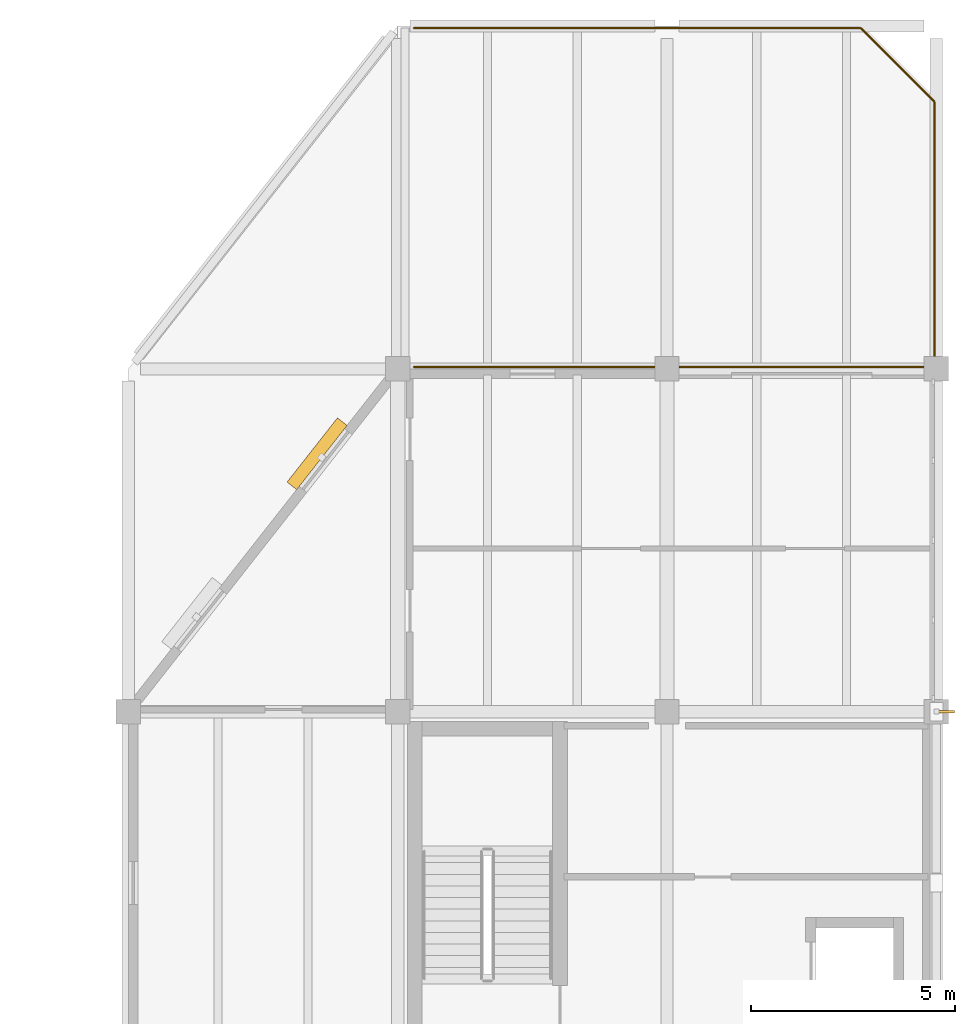
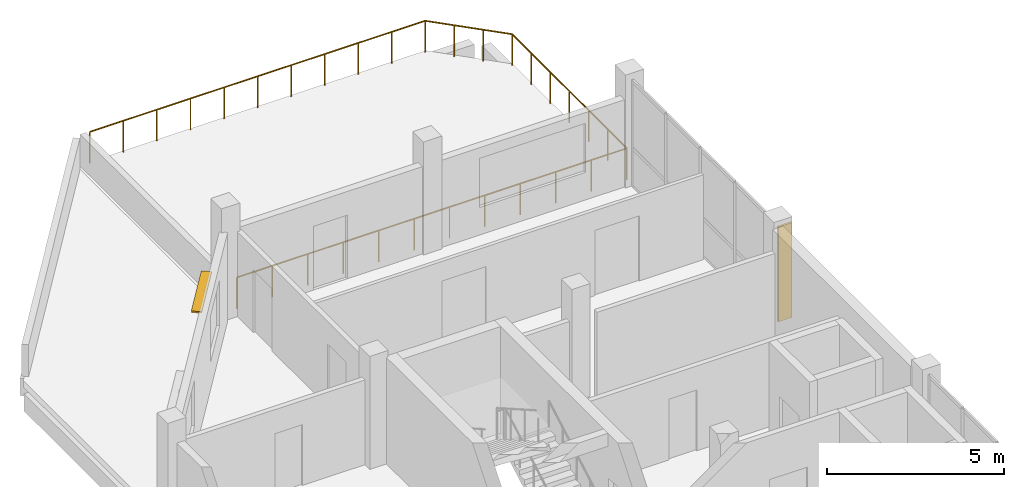
# One storey, part 10 of 10: 2 shading devices, 1 railing.
"""IFC4 building model written with IfcOpenShell, lengths in metres."""

from ifc_helpers import new_model, si_unit, direction, frame, origin, origin_2d, place, context, subcontext, project, spatial, rectangle, circle, extrude, material, layer, layer_set, type_object, element, save


model = new_model("IFC4")

# Units and contexts
model_context = context("Model", 3, precision=1e-05, world=origin(), true_north=direction((0.0, 1.0)))
body_context = subcontext(model_context, "Body", "Model", "MODEL_VIEW")
ifc_project = project(units=[si_unit("LENGTHUNIT", "METRE"), si_unit("AREAUNIT", "SQUARE_METRE"), si_unit("VOLUMEUNIT", "CUBIC_METRE"), si_unit("PLANEANGLEUNIT", "RADIAN"), si_unit("MASSUNIT", "GRAM", prefix="KILO")], contexts=[model_context])

# Site, building, storey
site_placement = place(None, origin())
site = spatial("IfcSite", under=ifc_project, at=site_placement, CompositionType="ELEMENT")
building_placement = place(site_placement, origin())
building = spatial("IfcBuilding", under=site, at=building_placement, Name="Qaldarim Faculty of Natural and Applied Sciences", CompositionType="ELEMENT")
storey_placement = place(building_placement, frame((0.0, 0.0, 39.300048828125)))
storey = spatial("IfcBuildingStorey", under=building, at=storey_placement, Name="L09", CompositionType="ELEMENT", Elevation=39.300048828125)

# Railing
ifc_material_1 = material(Name="Architectural stainless steel 316", Category="steel")
railing_type = type_object("IfcRailingType", Name="ExteriorGuardBalustrade-1100", PredefinedType="BALUSTRADE", material=ifc_material_1)
railing_placement = place(storey_placement, frame((165.39990234375, 42.050048828125, 0.0)))
element("IfcRailing", 1, at=railing_placement, inside=storey, type_object=railing_type, Name="Safety guard balustrade GRD-TER-L09-V5", PredefinedType="BALUSTRADE", context=body_context, shape_type="SweptSolid", body=[
    extrude(circle(Radius=0.02392578125, at=origin_2d()), frame((0.00390625, 0.0, 1.076171875), z_axis=(1.0, 0.0, 0.0), x_axis=(0.0, 1.0, 0.0)), (0.0, 0.0, 1.0), 12.741943359375),
    extrude(circle(Radius=0.02392578125, at=origin_2d()), frame((12.75, 0.00390625, 1.076171875), z_axis=(0.0, 1.0, 0.0), x_axis=(-1.0, 0.0, 0.0)), (0.0, 0.0, 1.0), 6.491943359375),
    extrude(circle(Radius=0.02392578125, at=origin_2d()), frame((12.7470703125, 6.5029296875, 1.076171875), z_axis=(-0.707058823862, 0.707154735259, 0.0), x_axis=(-0.707154735259, -0.707058823862, 0.0)), (0.0, 0.0, 1.0), 2.53759765625),
    extrude(circle(Radius=0.02392578125, at=origin_2d()), frame((10.9462890625, 8.300048828125, 1.076171875), z_axis=(-1.0, 0.0, 0.0), x_axis=(0.0, -1.0, 0.0)), (0.0, 0.0, 1.0), 10.942138671875),
    extrude(circle(Radius=0.02099609375, at=origin_2d()), origin(), (0.0, 0.0, 1.0), 1.052001953125),
    extrude(circle(Radius=0.02099609375, at=origin_2d()), frame((1.1591796875, 0.0, 0.0)), (0.0, 0.0, 1.0), 1.052001953125),
    extrude(circle(Radius=0.02099609375, at=origin_2d()), frame((2.318115234375, 0.0, 0.0)), (0.0, 0.0, 1.0), 1.052001953125),
    extrude(circle(Radius=0.02099609375, at=origin_2d()), frame((3.477294921875, 0.0, 0.0)), (0.0, 0.0, 1.0), 1.052001953125),
    extrude(circle(Radius=0.02099609375, at=origin_2d()), frame((4.636474609375, 0.0, 0.0)), (0.0, 0.0, 1.0), 1.052001953125),
    extrude(circle(Radius=0.02099609375, at=origin_2d()), frame((5.79541015625, 0.0, 0.0)), (0.0, 0.0, 1.0), 1.052001953125),
    extrude(circle(Radius=0.02099609375, at=origin_2d()), frame((6.95458984375, 0.0, 0.0)), (0.0, 0.0, 1.0), 1.052001953125),
    extrude(circle(Radius=0.02099609375, at=origin_2d()), frame((8.113525390625, 0.0, 0.0)), (0.0, 0.0, 1.0), 1.052001953125),
    extrude(circle(Radius=0.02099609375, at=origin_2d()), frame((9.272705078125, 0.0, 0.0)), (0.0, 0.0, 1.0), 1.052001953125),
    extrude(circle(Radius=0.02099609375, at=origin_2d()), frame((10.431884765625, 0.0, 0.0)), (0.0, 0.0, 1.0), 1.052001953125),
    extrude(circle(Radius=0.02099609375, at=origin_2d()), frame((11.5908203125, 0.0, 0.0)), (0.0, 0.0, 1.0), 1.052001953125),
    extrude(circle(Radius=0.02099609375, at=origin_2d()), frame((12.75, 0.0, 0.0)), (0.0, 0.0, 1.0), 1.052001953125),
    extrude(circle(Radius=0.02099609375, at=origin_2d()), frame((12.75, 1.083251953125, 0.0)), (0.0, 0.0, 1.0), 1.052001953125),
    extrude(circle(Radius=0.02099609375, at=origin_2d()), frame((12.75, 2.166748046875, 0.0)), (0.0, 0.0, 1.0), 1.052001953125),
    extrude(circle(Radius=0.02099609375, at=origin_2d()), frame((12.75, 3.25, 0.0)), (0.0, 0.0, 1.0), 1.052001953125),
    extrude(circle(Radius=0.02099609375, at=origin_2d()), frame((12.75, 4.333251953125, 0.0)), (0.0, 0.0, 1.0), 1.052001953125),
    extrude(circle(Radius=0.02099609375, at=origin_2d()), frame((12.75, 5.416748046875, 0.0)), (0.0, 0.0, 1.0), 1.052001953125),
    extrude(circle(Radius=0.02099609375, at=origin_2d()), frame((12.75, 6.5, 0.0)), (0.0, 0.0, 1.0), 1.052001953125),
    extrude(circle(Radius=0.02099609375, at=origin_2d()), frame((12.150146484375, 7.10009765625, 0.0)), (0.0, 0.0, 1.0), 1.052001953125),
    extrude(circle(Radius=0.02099609375, at=origin_2d()), frame((11.550048828125, 7.699951171875, 0.0)), (0.0, 0.0, 1.0), 1.052001953125),
    extrude(circle(Radius=0.02099609375, at=origin_2d()), frame((10.9501953125, 8.300048828125, 0.0)), (0.0, 0.0, 1.0), 1.052001953125),
    extrude(circle(Radius=0.02099609375, at=origin_2d()), frame((9.855224609375, 8.300048828125, 0.0)), (0.0, 0.0, 1.0), 1.052001953125),
    extrude(circle(Radius=0.02099609375, at=origin_2d()), frame((8.76025390625, 8.300048828125, 0.0)), (0.0, 0.0, 1.0), 1.052001953125),
    extrude(circle(Radius=0.02099609375, at=origin_2d()), frame((7.6650390625, 8.300048828125, 0.0)), (0.0, 0.0, 1.0), 1.052001953125),
    extrude(circle(Radius=0.02099609375, at=origin_2d()), frame((6.570068359375, 8.300048828125, 0.0)), (0.0, 0.0, 1.0), 1.052001953125),
    extrude(circle(Radius=0.02099609375, at=origin_2d()), frame((5.47509765625, 8.300048828125, 0.0)), (0.0, 0.0, 1.0), 1.052001953125),
    extrude(circle(Radius=0.02099609375, at=origin_2d()), frame((4.380126953125, 8.300048828125, 0.0)), (0.0, 0.0, 1.0), 1.052001953125),
    extrude(circle(Radius=0.02099609375, at=origin_2d()), frame((3.28515625, 8.300048828125, 0.0)), (0.0, 0.0, 1.0), 1.052001953125),
    extrude(circle(Radius=0.02099609375, at=origin_2d()), frame((2.18994140625, 8.300048828125, 0.0)), (0.0, 0.0, 1.0), 1.052001953125),
    extrude(circle(Radius=0.02099609375, at=origin_2d()), frame((1.094970703125, 8.300048828125, 0.0)), (0.0, 0.0, 1.0), 1.052001953125),
    extrude(circle(Radius=0.02099609375, at=origin_2d()), frame((0.0, 8.300048828125, 0.0)), (0.0, 0.0, 1.0), 1.052001953125),
])

# Shading devices
ifc_material_2 = material(Name="Champagne anodised aluminium AW-6063", Category="aluminium")
ifc_layer_1 = layer(ifc_material_2, 0.050048828125)
ifc_layer_set_1 = layer_set([ifc_layer_1], Name="Champagne anodised aluminium AW-6063")
shading_device_type_1 = type_object("IfcShadingDeviceType", Name="SolarLouvre-ALU300x50", PredefinedType="JALOUSIE", material=ifc_layer_set_1)
shading_device_1_placement = place(storey_placement, frame((163.02490234375, 39.919921875, 2.6748046875), z_axis=(0.0, 0.0, 1.0), x_axis=(0.617818442277, 0.786320782112, 0.0)))
element("IfcShadingDevice", 2, at=shading_device_1_placement, inside=storey, type_object=shading_device_type_1, Name="Oblique facade horizontal solar louvre SHD-OBL-NW-L09-2", PredefinedType="JALOUSIE", context=body_context, shape_type="SweptSolid", body=[
    extrude(rectangle(XDim=2.0, YDim=0.300048828125, at=origin_2d()), origin(), (0.0, 0.0, 1.0), 0.050048828125),
])
ifc_layer_2 = layer(ifc_material_2, 0.06005859375)
ifc_layer_set_2 = layer_set([ifc_layer_2], Name="Champagne anodised aluminium AW-6063")
shading_device_type_2 = type_object("IfcShadingDeviceType", Name="VerticalSunFin-ALU450x60", PredefinedType="SHUTTER", material=ifc_layer_set_2)
shading_device_2_placement = place(storey_placement, frame((178.425048828125, 33.60009765625, 0.19970703125), z_axis=(0.0, 0.0, 1.0), x_axis=(1.0, 0.0, 0.0)))
element("IfcShadingDevice", 3, at=shading_device_2_placement, inside=storey, type_object=shading_device_type_2, Name="Tower solar fin FIN-V5E-L09-Y05", PredefinedType="SHUTTER", context=body_context, shape_type="SweptSolid", body=[
    extrude(rectangle(XDim=0.449951171875, YDim=0.06005859375, at=origin_2d()), origin(), (0.0, 0.0, 1.0), 3.280029296875),
])

save(model, "model.ifc")
